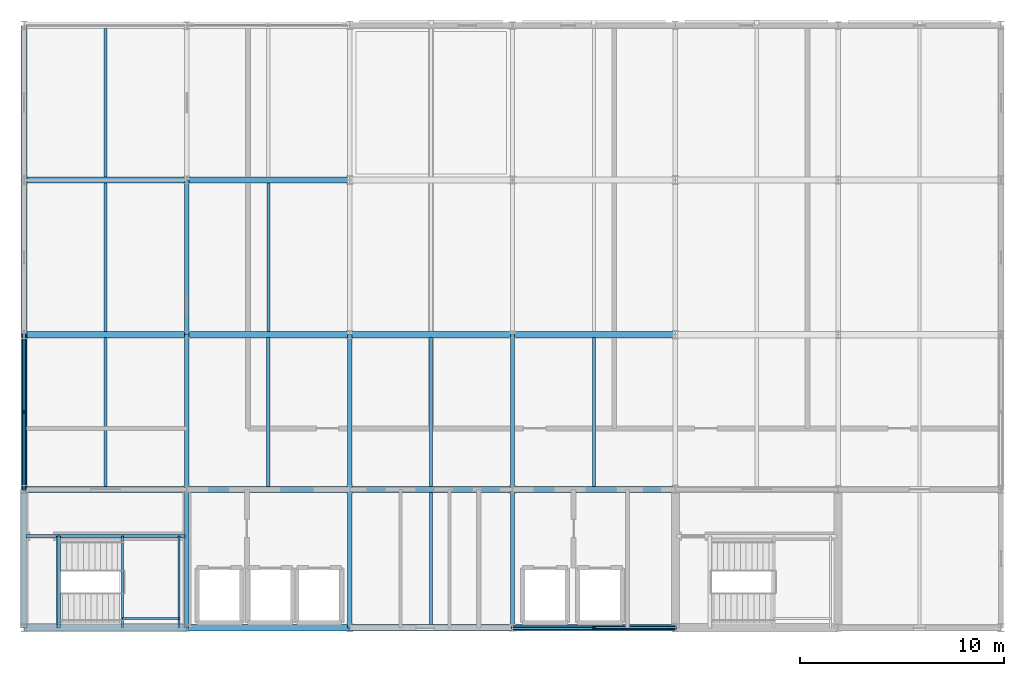
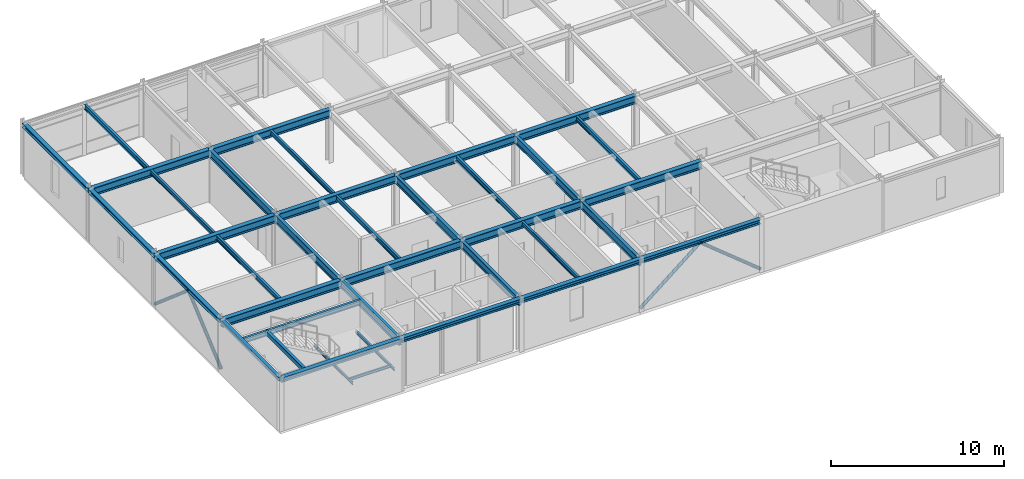
# One storey, part 3 of 9: 38 beams, 4 members.
"""IFC4 building model written with IfcOpenShell, lengths in metres."""

from ifc_helpers import new_model, si_unit, direction, frame, origin, origin_2d, place, context, subcontext, project, spatial, hollow_rectangle, hollow_circle, i_section, extrude, material, material_profile, profile_set, type_object, element, save


model = new_model("IFC4")

# Units and contexts
model_context = context("Model", 3, precision=1e-05, world=origin(), true_north=direction((0.0, 1.0)))
body_context = subcontext(model_context, "Body", "Model", "MODEL_VIEW")
ifc_project = project(units=[si_unit("LENGTHUNIT", "METRE"), si_unit("AREAUNIT", "SQUARE_METRE"), si_unit("VOLUMEUNIT", "CUBIC_METRE"), si_unit("PLANEANGLEUNIT", "RADIAN"), si_unit("MASSUNIT", "GRAM", prefix="KILO")], contexts=[model_context])

# Site, building, storey
site_placement = place(None, origin())
site = spatial("IfcSite", under=ifc_project, at=site_placement, CompositionType="ELEMENT")
building_placement = place(site_placement, origin())
building = spatial("IfcBuilding", under=site, at=building_placement, Name="Shalkamar Park Central Library", CompositionType="ELEMENT")
storey_placement = place(building_placement, frame((0.0, 0.0, 63.89990234375)))
storey = spatial("IfcBuildingStorey", under=building, at=storey_placement, Name="L16", CompositionType="ELEMENT", Elevation=63.89990234375)

# Beams
ifc_material = material(Name="Steel S355", Category="steel")
ifc_material_profile_1 = material_profile(ifc_material, i_section(OverallWidth=0.10009765625, OverallDepth=0.199951171875, WebThickness=0.005615234375, FlangeThickness=0.008544921875, FilletRadius=0.011962890625, at=origin_2d()), Name="IPE 200")
ifc_profile_set_1 = profile_set([ifc_material_profile_1], Name="Steel S355")
beam_type_1 = type_object("IfcBeamType", Name="Composite Floor Joist IPE200", PredefinedType="JOIST", material=ifc_profile_set_1)
for number, where, z_axis, x_axis, name in (
    (1, (169.840087890625, 248.39990234375, 1.570068359375), (0.0, 1.0, 0.0), (-1.0, 0.0, 0.0), "Stair Half-Landing Beam ST-T1-L16-1"),
    (2, (172.6201171875, 248.39990234375, 1.570068359375), (0.0, 1.0, 0.0), (-1.0, 0.0, 0.0), "Stair Half-Landing Beam ST-T1-L16-2"),
):
    element("IfcBeam", number, at=place(storey_placement, frame(where, z_axis=z_axis, x_axis=x_axis)), inside=storey, type_object=beam_type_1, Name=name, PredefinedType="JOIST", context=body_context, shape_type="SweptSolid", body=[
        extrude(i_section(OverallWidth=0.10009765625, OverallDepth=0.199951171875, WebThickness=0.005615234375, FlangeThickness=0.008544921875, FilletRadius=0.011962890625, at=origin_2d()), origin(), (0.0, 0.0, 1.0), 4.5),
    ])
beam_1_placement = place(storey_placement, frame((169.840087890625, 248.85009765625, 1.570068359375), z_axis=(1.0, 0.0, 0.0), x_axis=(0.0, 1.0, 0.0)))
element("IfcBeam", 3, at=beam_1_placement, inside=storey, type_object=beam_type_1, Name="Stair Half-Landing Cross Tie ST-T1-L16-3", PredefinedType="JOIST", context=body_context, shape_type="SweptSolid", body=[
    extrude(i_section(OverallWidth=0.10009765625, OverallDepth=0.199951171875, WebThickness=0.005615234375, FlangeThickness=0.008544921875, FilletRadius=0.011962890625, at=origin_2d()), origin(), (0.0, 0.0, 1.0), 2.780029296875),
])
ifc_material_profile_2 = material_profile(ifc_material, i_section(OverallWidth=0.14990234375, OverallDepth=0.300048828125, WebThickness=0.007080078125, FlangeThickness=0.0107421875, FilletRadius=0.014892578125, at=origin_2d()), Name="IPE 300")
ifc_profile_set_2 = profile_set([ifc_material_profile_2], Name="Steel S355")
beam_type_2 = type_object("IfcBeamType", Name="Composite Floor Joist IPE300", PredefinedType="JOIST", material=ifc_profile_set_2)
for number, where, z_axis, x_axis, name in (
    (4, (169.0, 262.947998046875, 3.550048828125), (0.0, 1.0, 0.0), (-1.0, 0.0, 0.0), "Composite Joist 07/D-1 (L16)"),
    (5, (177.0, 262.947998046875, 3.550048828125), (0.0, 1.0, 0.0), (-1.0, 0.0, 0.0), "Composite Joist 08/D-1 (L16)"),
):
    element("IfcBeam", number, at=place(storey_placement, frame(where, z_axis=z_axis, x_axis=x_axis)), inside=storey, type_object=beam_type_2, Name=name, PredefinedType="JOIST", context=body_context, shape_type="SweptSolid", body=[
        extrude(i_section(OverallWidth=0.14990234375, OverallDepth=0.300048828125, WebThickness=0.007080078125, FlangeThickness=0.0107421875, FilletRadius=0.014892578125, at=origin_2d()), origin(), (0.0, 0.0, 1.0), 7.303955078125),
    ])
beam_2_placement = place(storey_placement, frame((185.0, 248.548095703125, 3.550048828125), z_axis=(0.0, 1.0, 0.0), x_axis=(-1.0, 0.0, 0.0)))
element("IfcBeam", 6, at=beam_2_placement, inside=storey, type_object=beam_type_2, Name="Composite Joist 09/B-1 (L16)", PredefinedType="JOIST", context=body_context, shape_type="SweptSolid", body=[
    extrude(i_section(OverallWidth=0.14990234375, OverallDepth=0.300048828125, WebThickness=0.007080078125, FlangeThickness=0.0107421875, FilletRadius=0.014892578125, at=origin_2d()), origin(), (0.0, 0.0, 1.0), 6.50390625),
])
ifc_material_profile_3 = material_profile(ifc_material, i_section(OverallWidth=0.159912109375, OverallDepth=0.330078125, WebThickness=0.007568359375, FlangeThickness=0.011474609375, FilletRadius=0.01806640625, at=origin_2d()), Name="IPE 330")
ifc_profile_set_3 = profile_set([ifc_material_profile_3], Name="Steel S355")
beam_type_3 = type_object("IfcBeamType", Name="Composite Floor Joist IPE330", PredefinedType="JOIST", material=ifc_profile_set_3)
beam_3_placement = place(storey_placement, frame((169.0, 255.347900390625, 3.53515625), z_axis=(0.0, 1.0, 0.0), x_axis=(-1.0, 0.0, 0.0)))
element("IfcBeam", 7, at=beam_3_placement, inside=storey, type_object=beam_type_3, Name="Composite Joist 07/C-1 (L16)", PredefinedType="JOIST", context=body_context, shape_type="SweptSolid", body=[
    extrude(i_section(OverallWidth=0.159912109375, OverallDepth=0.330078125, WebThickness=0.007568359375, FlangeThickness=0.011474609375, FilletRadius=0.01806640625, at=origin_2d()), origin(), (0.0, 0.0, 1.0), 7.30419921875),
])
beam_4_placement = place(storey_placement, frame((169.0, 270.548095703125, 3.53515625), z_axis=(0.0, 1.0, 0.0), x_axis=(-1.0, 0.0, 0.0)))
element("IfcBeam", 8, at=beam_4_placement, inside=storey, type_object=beam_type_3, Name="Composite Joist 07/E-1 (L16)", PredefinedType="JOIST", context=body_context, shape_type="SweptSolid", body=[
    extrude(i_section(OverallWidth=0.159912109375, OverallDepth=0.330078125, WebThickness=0.007568359375, FlangeThickness=0.011474609375, FilletRadius=0.01806640625, at=origin_2d()), origin(), (0.0, 0.0, 1.0), 7.303955078125),
])
for number, where, z_axis, x_axis, name in (
    (9, (177.0, 255.347900390625, 3.53515625), (0.0, 1.0, 0.0), (-1.0, 0.0, 0.0), "Composite Joist 08/C-1 (L16)"),
    (10, (185.0, 255.347900390625, 3.53515625), (0.0, 1.0, 0.0), (-1.0, 0.0, 0.0), "Composite Joist 09/C-1 (L16)"),
    (11, (193.0, 255.347900390625, 3.53515625), (0.0, 1.0, 0.0), (-1.0, 0.0, 0.0), "Composite Joist 10/C-1 (L16)"),
):
    element("IfcBeam", number, at=place(storey_placement, frame(where, z_axis=z_axis, x_axis=x_axis)), inside=storey, type_object=beam_type_3, Name=name, PredefinedType="JOIST", context=body_context, shape_type="SweptSolid", body=[
        extrude(i_section(OverallWidth=0.159912109375, OverallDepth=0.330078125, WebThickness=0.007568359375, FlangeThickness=0.011474609375, FilletRadius=0.01806640625, at=origin_2d()), origin(), (0.0, 0.0, 1.0), 7.30419921875),
    ])

# Members
ifc_material_profile_4 = material_profile(ifc_material, hollow_circle(Radius=0.109619140625, WallThickness=0.010009765625, at=origin_2d()), Name="CHS 219.1x10")
ifc_profile_set_4 = profile_set([ifc_material_profile_4], Name="Steel S355")
member_type = type_object("IfcMemberType", Name="Diagonal Brace CHS219", PredefinedType="BRACE", material=ifc_profile_set_4)
for number, where, z_axis, x_axis, name in (
    (12, (165.0, 255.199951171875, 0.150146484375), (0.0, 0.759966128162, 0.649962678965), (-1.0, 0.0, 0.0), "Chevron Brace TW-W Leg A (L16)"),
    (13, (165.0, 262.800048828125, 0.150146484375), (0.0, -0.759966128162, 0.649962678965), (1.0, 0.0, 0.0), "Chevron Brace TW-W Leg B (L16)"),
):
    element("IfcMember", number, at=place(storey_placement, frame(where, z_axis=z_axis, x_axis=x_axis)), inside=storey, type_object=member_type, Name=name, PredefinedType="BRACE", context=body_context, shape_type="SweptSolid", body=[
        extrude(hollow_circle(Radius=0.109619140625, WallThickness=0.010009765625, at=origin_2d()), origin(), (0.0, 0.0, 1.0), 5.000244140625),
    ])
for number, where, z_axis, x_axis, name in (
    (14, (189.0, 248.39990234375, 0.150146484375), (0.776114000116, 0.0, 0.630592625094), (0.0, 1.0, 0.0), "Chevron Brace TW-S Leg A (L16)"),
    (15, (197.0, 248.39990234375, 0.150146484375), (-0.776114000116, 0.0, 0.630592625094), (0.0, -1.0, 0.0), "Chevron Brace TW-S Leg B (L16)"),
):
    element("IfcMember", number, at=place(storey_placement, frame(where, z_axis=z_axis, x_axis=x_axis)), inside=storey, type_object=member_type, Name=name, PredefinedType="BRACE", context=body_context, shape_type="SweptSolid", body=[
        extrude(hollow_circle(Radius=0.109619140625, WallThickness=0.010009765625, at=origin_2d()), origin(), (0.0, 0.0, 1.0), 5.15380859375),
    ])

# Beams
ifc_material_profile_5 = material_profile(ifc_material, i_section(OverallWidth=0.239990234375, OverallDepth=0.22998046875, WebThickness=0.007568359375, FlangeThickness=0.011962890625, FilletRadius=0.02099609375, at=origin_2d()), Name="HEA 240")
ifc_profile_set_5 = profile_set([ifc_material_profile_5], Name="Steel S355")
beam_type_4 = type_object("IfcBeamType", Name="Perimeter Spandrel Beam HEA240", PredefinedType="SPANDREL", material=ifc_profile_set_5)
beam_5_placement = place(storey_placement, frame((165.0, 248.39990234375, 3.585205078125), z_axis=(0.0, 1.0, 0.0), x_axis=(-1.0, 0.0, 0.0)))
element("IfcBeam", 16, at=beam_5_placement, inside=storey, type_object=beam_type_4, Name="Beam 07:B-C (L16)", PredefinedType="SPANDREL", context=body_context, shape_type="SweptSolid", body=[
    extrude(i_section(OverallWidth=0.239990234375, OverallDepth=0.22998046875, WebThickness=0.007568359375, FlangeThickness=0.011962890625, FilletRadius=0.02099609375, at=origin_2d()), origin(), (0.0, 0.0, 1.0), 6.800048828125),
])
ifc_material_profile_6 = material_profile(ifc_material, i_section(OverallWidth=0.280029296875, OverallDepth=0.27001953125, WebThickness=0.008056640625, FlangeThickness=0.012939453125, FilletRadius=0.02392578125, at=origin_2d()), Name="HEA 280")
ifc_profile_set_6 = profile_set([ifc_material_profile_6], Name="Steel S355")
beam_type_5 = type_object("IfcBeamType", Name="Perimeter Spandrel Beam HEA280", PredefinedType="SPANDREL", material=ifc_profile_set_6)
beam_6_placement = place(storey_placement, frame((165.0, 255.199951171875, 3.565185546875), z_axis=(0.0, 1.0, 0.0), x_axis=(-1.0, 0.0, 0.0)))
element("IfcBeam", 17, at=beam_6_placement, inside=storey, type_object=beam_type_5, Name="Beam 07:C-D (L16)", PredefinedType="SPANDREL", context=body_context, shape_type="SweptSolid", body=[
    extrude(i_section(OverallWidth=0.280029296875, OverallDepth=0.27001953125, WebThickness=0.008056640625, FlangeThickness=0.012939453125, FilletRadius=0.02392578125, at=origin_2d()), origin(), (0.0, 0.0, 1.0), 7.60009765625),
])
beam_7_placement = place(storey_placement, frame((165.0, 262.800048828125, 3.565185546875), z_axis=(0.0, 1.0, 0.0), x_axis=(-1.0, 0.0, 0.0)))
element("IfcBeam", 18, at=beam_7_placement, inside=storey, type_object=beam_type_5, Name="Beam 07:D-E (L16)", PredefinedType="SPANDREL", context=body_context, shape_type="SweptSolid", body=[
    extrude(i_section(OverallWidth=0.280029296875, OverallDepth=0.27001953125, WebThickness=0.008056640625, FlangeThickness=0.012939453125, FilletRadius=0.02392578125, at=origin_2d()), origin(), (0.0, 0.0, 1.0), 7.599853515625),
])
beam_8_placement = place(storey_placement, frame((165.0, 270.39990234375, 3.565185546875), z_axis=(0.0, 1.0, 0.0), x_axis=(-1.0, 0.0, 0.0)))
element("IfcBeam", 19, at=beam_8_placement, inside=storey, type_object=beam_type_5, Name="Beam 07:E-F (L16)", PredefinedType="SPANDREL", context=body_context, shape_type="SweptSolid", body=[
    extrude(i_section(OverallWidth=0.280029296875, OverallDepth=0.27001953125, WebThickness=0.008056640625, FlangeThickness=0.012939453125, FilletRadius=0.02392578125, at=origin_2d()), origin(), (0.0, 0.0, 1.0), 7.60009765625),
])
ifc_material_profile_7 = material_profile(ifc_material, i_section(OverallWidth=0.300048828125, OverallDepth=0.31005859375, WebThickness=0.009033203125, FlangeThickness=0.015380859375, FilletRadius=0.027099609375, at=origin_2d()), Name="HEA 320")
ifc_profile_set_7 = profile_set([ifc_material_profile_7], Name="Steel S355")
beam_type_6 = type_object("IfcBeamType", Name="Perimeter Spandrel Beam HEA320", PredefinedType="SPANDREL", material=ifc_profile_set_7)
for number, where, z_axis, x_axis, name in (
    (20, (165.0, 248.39990234375, 3.545166015625), (1.0, 0.0, 0.0), (0.0, 1.0, 0.0), "Beam B:07-08 (L16)"),
    (21, (173.0, 248.39990234375, 3.545166015625), (1.0, 0.0, 0.0), (0.0, 1.0, 0.0), "Beam B:08-09 (L16)"),
    (22, (181.0, 248.39990234375, 3.545166015625), (1.0, 0.0, 0.0), (0.0, 1.0, 0.0), "Beam B:09-10 (L16)"),
    (23, (189.0, 248.39990234375, 3.545166015625), (1.0, 0.0, 0.0), (0.0, 1.0, 0.0), "Beam B:10-11 (L16)"),
):
    element("IfcBeam", number, at=place(storey_placement, frame(where, z_axis=z_axis, x_axis=x_axis)), inside=storey, type_object=beam_type_6, Name=name, PredefinedType="SPANDREL", context=body_context, shape_type="SweptSolid", body=[
        extrude(i_section(OverallWidth=0.300048828125, OverallDepth=0.31005859375, WebThickness=0.009033203125, FlangeThickness=0.015380859375, FilletRadius=0.027099609375, at=origin_2d()), origin(), (0.0, 0.0, 1.0), 8.0),
    ])
ifc_material_profile_8 = material_profile(ifc_material, i_section(OverallWidth=0.300048828125, OverallDepth=0.550048828125, WebThickness=0.014892578125, FlangeThickness=0.029052734375, FilletRadius=0.027099609375, at=origin_2d()), Name="HEB 550")
ifc_profile_set_8 = profile_set([ifc_material_profile_8], Name="Steel S355")
beam_type_7 = type_object("IfcBeamType", Name="Primary Girder HEB550", PredefinedType="BEAM", material=ifc_profile_set_8)
for number, where, z_axis, x_axis, name in (
    (24, (165.0, 255.199951171875, 3.425048828125), (1.0, 0.0, 0.0), (0.0, 1.0, 0.0), "Beam C:07-08 (L16)"),
    (25, (173.0, 255.199951171875, 3.425048828125), (1.0, 0.0, 0.0), (0.0, 1.0, 0.0), "Beam C:08-09 (L16)"),
    (26, (181.0, 255.199951171875, 3.425048828125), (1.0, 0.0, 0.0), (0.0, 1.0, 0.0), "Beam C:09-10 (L16)"),
    (27, (189.0, 255.199951171875, 3.425048828125), (1.0, 0.0, 0.0), (0.0, 1.0, 0.0), "Beam C:10-11 (L16)"),
    (28, (165.0, 262.800048828125, 3.425048828125), (1.0, 0.0, 0.0), (0.0, 1.0, 0.0), "Beam D:07-08 (L16)"),
    (29, (173.0, 262.800048828125, 3.425048828125), (1.0, 0.0, 0.0), (0.0, 1.0, 0.0), "Beam D:08-09 (L16)"),
    (30, (181.0, 262.800048828125, 3.425048828125), (1.0, 0.0, 0.0), (0.0, 1.0, 0.0), "Beam D:09-10 (L16)"),
    (31, (189.0, 262.800048828125, 3.425048828125), (1.0, 0.0, 0.0), (0.0, 1.0, 0.0), "Beam D:10-11 (L16)"),
    (32, (165.0, 270.39990234375, 3.425048828125), (1.0, 0.0, 0.0), (0.0, 1.0, 0.0), "Beam E:07-08 (L16)"),
    (33, (173.0, 270.39990234375, 3.425048828125), (1.0, 0.0, 0.0), (0.0, 1.0, 0.0), "Beam E:08-09 (L16)"),
):
    element("IfcBeam", number, at=place(storey_placement, frame(where, z_axis=z_axis, x_axis=x_axis)), inside=storey, type_object=beam_type_7, Name=name, PredefinedType="BEAM", context=body_context, shape_type="SweptSolid", body=[
        extrude(i_section(OverallWidth=0.300048828125, OverallDepth=0.550048828125, WebThickness=0.014892578125, FlangeThickness=0.029052734375, FilletRadius=0.027099609375, at=origin_2d()), origin(), (0.0, 0.0, 1.0), 8.0),
    ])
ifc_material_profile_9 = material_profile(ifc_material, i_section(OverallWidth=0.169921875, OverallDepth=0.360107421875, WebThickness=0.008056640625, FlangeThickness=0.0126953125, FilletRadius=0.01806640625, at=origin_2d()), Name="IPE 360")
ifc_profile_set_9 = profile_set([ifc_material_profile_9], Name="Steel S355")
beam_type_8 = type_object("IfcBeamType", Name="Primary Girder IPE360", PredefinedType="BEAM", material=ifc_profile_set_9)
beam_9_placement = place(storey_placement, frame((165.087890625, 252.89990234375, 3.52001953125), z_axis=(1.0, 0.0, 0.0), x_axis=(0.0, 1.0, 0.0)))
element("IfcBeam", 34, at=beam_9_placement, inside=storey, type_object=beam_type_8, Name="CORE-T1 Stairwell Divider Beam (L16)", PredefinedType="BEAM", context=body_context, shape_type="SweptSolid", body=[
    extrude(i_section(OverallWidth=0.169921875, OverallDepth=0.360107421875, WebThickness=0.008056640625, FlangeThickness=0.0126953125, FilletRadius=0.01806640625, at=origin_2d()), origin(), (0.0, 0.0, 1.0), 7.82421875),
])
ifc_material_profile_10 = material_profile(ifc_material, i_section(OverallWidth=0.2099609375, OverallDepth=0.550048828125, WebThickness=0.010986328125, FlangeThickness=0.01708984375, FilletRadius=0.02392578125, at=origin_2d()), Name="IPE 550")
ifc_profile_set_10 = profile_set([ifc_material_profile_10], Name="Steel S355")
beam_type_9 = type_object("IfcBeamType", Name="Primary Girder IPE550", PredefinedType="BEAM", material=ifc_profile_set_10)
beam_10_placement = place(storey_placement, frame((173.0, 248.39990234375, 3.425048828125), z_axis=(0.0, 1.0, 0.0), x_axis=(-1.0, 0.0, 0.0)))
element("IfcBeam", 35, at=beam_10_placement, inside=storey, type_object=beam_type_9, Name="Beam 08:B-C (L16)", PredefinedType="BEAM", context=body_context, shape_type="SweptSolid", body=[
    extrude(i_section(OverallWidth=0.2099609375, OverallDepth=0.550048828125, WebThickness=0.010986328125, FlangeThickness=0.01708984375, FilletRadius=0.02392578125, at=origin_2d()), origin(), (0.0, 0.0, 1.0), 6.800048828125),
])
beam_11_placement = place(storey_placement, frame((173.0, 255.199951171875, 3.425048828125), z_axis=(0.0, 1.0, 0.0), x_axis=(-1.0, 0.0, 0.0)))
element("IfcBeam", 36, at=beam_11_placement, inside=storey, type_object=beam_type_9, Name="Beam 08:C-D (L16)", PredefinedType="BEAM", context=body_context, shape_type="SweptSolid", body=[
    extrude(i_section(OverallWidth=0.2099609375, OverallDepth=0.550048828125, WebThickness=0.010986328125, FlangeThickness=0.01708984375, FilletRadius=0.02392578125, at=origin_2d()), origin(), (0.0, 0.0, 1.0), 7.60009765625),
])
beam_12_placement = place(storey_placement, frame((173.0, 262.800048828125, 3.425048828125), z_axis=(0.0, 1.0, 0.0), x_axis=(-1.0, 0.0, 0.0)))
element("IfcBeam", 37, at=beam_12_placement, inside=storey, type_object=beam_type_9, Name="Beam 08:D-E (L16)", PredefinedType="BEAM", context=body_context, shape_type="SweptSolid", body=[
    extrude(i_section(OverallWidth=0.2099609375, OverallDepth=0.550048828125, WebThickness=0.010986328125, FlangeThickness=0.01708984375, FilletRadius=0.02392578125, at=origin_2d()), origin(), (0.0, 0.0, 1.0), 7.599853515625),
])
beam_13_placement = place(storey_placement, frame((181.0, 248.39990234375, 3.425048828125), z_axis=(0.0, 1.0, 0.0), x_axis=(-1.0, 0.0, 0.0)))
element("IfcBeam", 38, at=beam_13_placement, inside=storey, type_object=beam_type_9, Name="Beam 09:B-C (L16)", PredefinedType="BEAM", context=body_context, shape_type="SweptSolid", body=[
    extrude(i_section(OverallWidth=0.2099609375, OverallDepth=0.550048828125, WebThickness=0.010986328125, FlangeThickness=0.01708984375, FilletRadius=0.02392578125, at=origin_2d()), origin(), (0.0, 0.0, 1.0), 6.800048828125),
])
beam_14_placement = place(storey_placement, frame((181.0, 255.199951171875, 3.425048828125), z_axis=(0.0, 1.0, 0.0), x_axis=(-1.0, 0.0, 0.0)))
element("IfcBeam", 39, at=beam_14_placement, inside=storey, type_object=beam_type_9, Name="Beam 09:C-D (L16)", PredefinedType="BEAM", context=body_context, shape_type="SweptSolid", body=[
    extrude(i_section(OverallWidth=0.2099609375, OverallDepth=0.550048828125, WebThickness=0.010986328125, FlangeThickness=0.01708984375, FilletRadius=0.02392578125, at=origin_2d()), origin(), (0.0, 0.0, 1.0), 7.60009765625),
])
beam_15_placement = place(storey_placement, frame((189.0, 248.39990234375, 3.425048828125), z_axis=(0.0, 1.0, 0.0), x_axis=(-1.0, 0.0, 0.0)))
element("IfcBeam", 40, at=beam_15_placement, inside=storey, type_object=beam_type_9, Name="Beam 10:B-C (L16)", PredefinedType="BEAM", context=body_context, shape_type="SweptSolid", body=[
    extrude(i_section(OverallWidth=0.2099609375, OverallDepth=0.550048828125, WebThickness=0.010986328125, FlangeThickness=0.01708984375, FilletRadius=0.02392578125, at=origin_2d()), origin(), (0.0, 0.0, 1.0), 6.800048828125),
])
beam_16_placement = place(storey_placement, frame((189.0, 255.199951171875, 3.425048828125), z_axis=(0.0, 1.0, 0.0), x_axis=(-1.0, 0.0, 0.0)))
element("IfcBeam", 41, at=beam_16_placement, inside=storey, type_object=beam_type_9, Name="Beam 10:C-D (L16)", PredefinedType="BEAM", context=body_context, shape_type="SweptSolid", body=[
    extrude(i_section(OverallWidth=0.2099609375, OverallDepth=0.550048828125, WebThickness=0.010986328125, FlangeThickness=0.01708984375, FilletRadius=0.02392578125, at=origin_2d()), origin(), (0.0, 0.0, 1.0), 7.60009765625),
])
ifc_material_profile_11 = material_profile(ifc_material, hollow_rectangle(XDim=0.199951171875, YDim=0.300048828125, WallThickness=0.011962890625, InnerFilletRadius=0.011962890625, OuterFilletRadius=0.01806640625, at=origin_2d()), Name="RHS 300x200x12")
ifc_profile_set_11 = profile_set([ifc_material_profile_11], Name="Steel S355")
beam_type_10 = type_object("IfcBeamType", Name="Stair Trimmer Box RHS300x200", PredefinedType="BEAM", material=ifc_profile_set_11)
beam_17_placement = place(storey_placement, frame((166.699951171875, 248.39990234375, 3.550048828125), z_axis=(0.0, 1.0, 0.0), x_axis=(-1.0, 0.0, 0.0)))
element("IfcBeam", 42, at=beam_17_placement, inside=storey, type_object=beam_type_10, Name="Stair Arrival Trimmer Girder ST-T1-L16", PredefinedType="BEAM", context=body_context, shape_type="SweptSolid", body=[
    extrude(hollow_rectangle(XDim=0.199951171875, YDim=0.300048828125, WallThickness=0.011962890625, InnerFilletRadius=0.011962890625, OuterFilletRadius=0.01806640625, at=origin_2d()), origin(), (0.0, 0.0, 1.0), 4.5),
])

save(model, "model.ifc")
